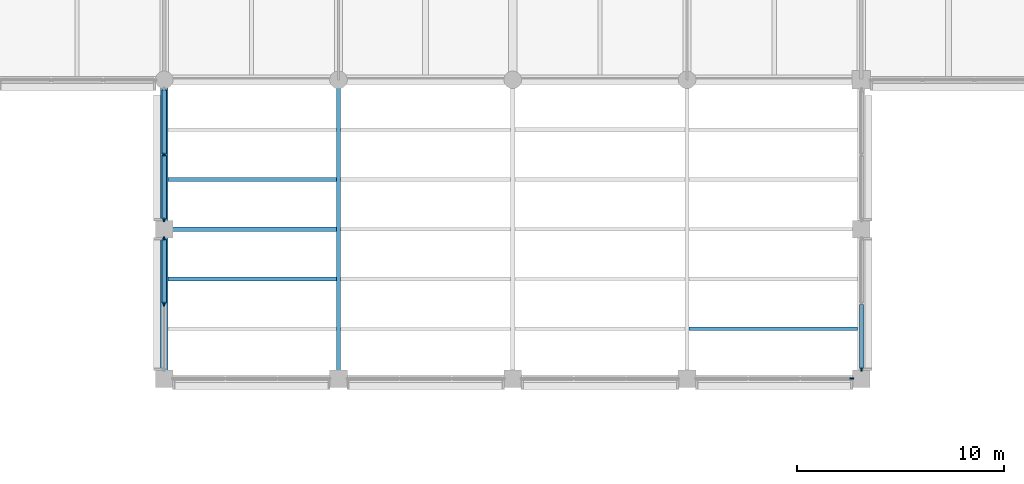
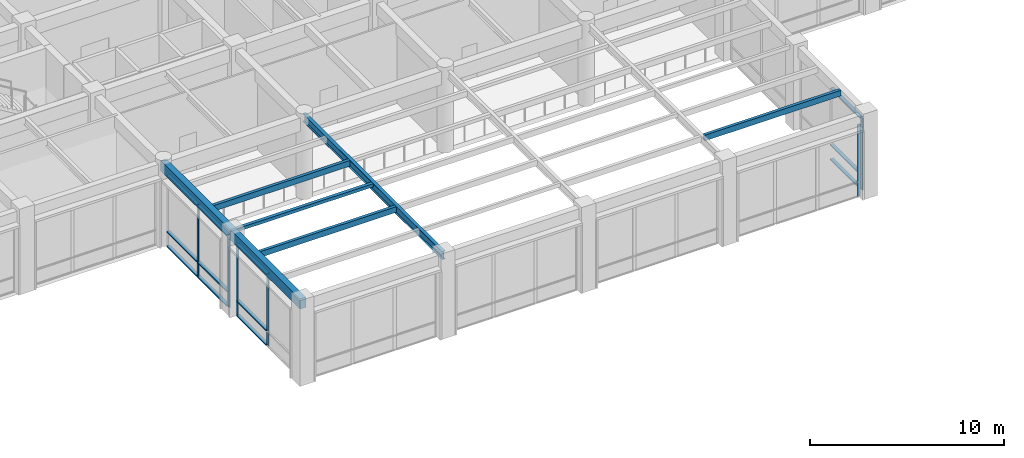
# One storey, part 9 of 58: 21 members, 4 beams, 4 elements without a shape of their own.
"""IFC4 building model written with IfcOpenShell, lengths in metres."""

from ifc_helpers import new_model, si_unit, direction, frame, origin, origin_2d, place, context, subcontext, project, spatial, rectangle, hollow_rectangle, i_section, extrude, material, layer, layer_set, material_profile, profile_set, type_object, element, aggregate, save


model = new_model("IFC4")

# Units and contexts
model_context = context("Model", 3, precision=1e-05, world=origin(), true_north=direction((0.0, 1.0)))
body_context = subcontext(model_context, "Body", "Model", "MODEL_VIEW")
ifc_project = project(units=[si_unit("LENGTHUNIT", "METRE"), si_unit("AREAUNIT", "SQUARE_METRE"), si_unit("VOLUMEUNIT", "CUBIC_METRE"), si_unit("PLANEANGLEUNIT", "RADIAN"), si_unit("MASSUNIT", "GRAM", prefix="KILO")], contexts=[model_context])

# Site, building, storey
site_placement = place(None, origin())
site = spatial("IfcSite", under=ifc_project, at=site_placement, CompositionType="ELEMENT")
building_placement = place(site_placement, origin())
building = spatial("IfcBuilding", under=site, at=building_placement, Name="Chengyuan Square Courthouse", CompositionType="ELEMENT")
storey_placement = place(building_placement, frame((0.0, 0.0, 16.199951171875)))
storey = spatial("IfcBuildingStorey", under=building, at=storey_placement, Name="L04", CompositionType="ELEMENT", Elevation=16.199951171875)

# Beams
ifc_material_1 = material(Name="Concrete C40", Category="concrete")
ifc_material_profile_1 = material_profile(ifc_material_1, rectangle(XDim=0.35009765625, YDim=0.64990234375, at=origin_2d()), Name="RC-BM-350x650")
ifc_profile_set_1 = profile_set([ifc_material_profile_1], Name="Concrete C40")
beam_type_1 = type_object("IfcBeamType", Name="BM-03", PredefinedType="SPANDREL", material=ifc_profile_set_1)
for number, where, z_axis, x_axis, name in (
    (1, (67.199951171875, 64.800048828125, 4.85498046875), (0.0, 1.0, 0.0), (-1.0, 0.0, 0.0), "Girder BM-L04-3015"),
    (2, (67.199951171875, 72.0, 4.85498046875), (0.0, 1.0, 0.0), (-1.0, 0.0, 0.0), "Girder BM-L04-3016"),
):
    element("IfcBeam", number, at=place(storey_placement, frame(where, z_axis=z_axis, x_axis=x_axis)), inside=storey, type_object=beam_type_1, Name=name, PredefinedType="SPANDREL", context=body_context, shape_type="SweptSolid", body=[
        extrude(rectangle(XDim=0.35009765625, YDim=0.64990234375, at=origin_2d()), origin(), (0.0, 0.0, 1.0), 7.199951171875),
    ])
ifc_material_2 = material(Name="Steel Q355B", Category="steel")
ifc_material_profile_2 = material_profile(ifc_material_2, hollow_rectangle(XDim=0.199951171875, YDim=0.199951171875, WallThickness=0.008056640625, at=origin_2d()), Name="SHS 200x200x8")
ifc_profile_set_2 = profile_set([ifc_material_profile_2], Name="Steel Q355B")
beam_type_2 = type_object("IfcBeamType", Name="BM-11", PredefinedType="BEAM", material=ifc_profile_set_2)
beam_1_placement = place(storey_placement, frame((67.375, 72.0, 5.080078125), z_axis=(1.0, 0.0, 0.0), x_axis=(0.0, 1.0, 0.0)))
element("IfcBeam", 3, at=beam_1_placement, inside=storey, type_object=beam_type_2, Name="Skylight Framing Beam SKB-L04-03", PredefinedType="BEAM", context=body_context, shape_type="SweptSolid", body=[
    extrude(hollow_rectangle(XDim=0.199951171875, YDim=0.199951171875, WallThickness=0.008056640625, at=origin_2d()), origin(), (0.0, 0.0, 1.0), 8.125),
])

# Curtain wall, member
ifc_material_3 = material(Name="Unitised Aluminium and Triple Low-E Glass", Category="aluminium")
ifc_layer_1 = layer(ifc_material_3, 0.179931640625)
ifc_layer_set_1 = layer_set([ifc_layer_1], Name="Unitised Aluminium and Triple Low-E Glass")
curtain_wall_type_1 = type_object("IfcCurtainWallType", Name="CW-10", PredefinedType="USERDEFINED", material=ifc_layer_set_1)
curtain_wall_1_placement = place(storey_placement, origin())
curtain_wall_1 = element("IfcCurtainWall", 4, at=curtain_wall_1_placement, inside=storey, type_object=curtain_wall_type_1, Name="Unitised Curtain Wall CW-L04-145", ObjectType="UNITISED CURTAIN WALL", PredefinedType="USERDEFINED")
ifc_material_4 = material(Name="Aluminium 6063-T6 Frame", Category="aluminium")
ifc_material_profile_3 = material_profile(ifc_material_4, rectangle(XDim=0.06494140625, YDim=0.179931640625, at=origin_2d()), Name="CW-MUL-65x180")
ifc_profile_set_3 = profile_set([ifc_material_profile_3], Name="Aluminium 6063-T6 Frame")
member_type_1 = type_object("IfcMemberType", Name="CWM-02", PredefinedType="MULLION", material=ifc_profile_set_3)
member_1_placement = place(storey_placement, frame((100.342529296875, 64.800048828125, 0.0), z_axis=(0.0, 0.0, 1.0), x_axis=(0.0, 1.0, 0.0)))
member_1 = element("IfcMember", 5, at=member_1_placement, type_object=member_type_1, Name="CW-10 mullion 4", PredefinedType="MULLION", context=body_context, shape_type="SweptSolid", body=[
    extrude(rectangle(XDim=0.06494140625, YDim=0.179931640625, at=origin_2d()), origin(), (0.0, 0.0, 1.0), 4.530029296875),
])
aggregate(curtain_wall_1, [member_1])

# Curtain wall, members
ifc_layer_2 = layer(ifc_material_3, 0.199951171875)
ifc_layer_set_2 = layer_set([ifc_layer_2], Name="Unitised Aluminium and Triple Low-E Glass")
curtain_wall_type_2 = type_object("IfcCurtainWallType", Name="CW-23", PredefinedType="USERDEFINED", material=ifc_layer_set_2)
curtain_wall_2_placement = place(storey_placement, origin())
curtain_wall_2 = element("IfcCurtainWall", 6, at=curtain_wall_2_placement, inside=storey, type_object=curtain_wall_type_2, Name="Unitised Curtain Wall CW-L04-141", ObjectType="UNITISED CURTAIN WALL", PredefinedType="USERDEFINED")
ifc_material_profile_4 = material_profile(ifc_material_4, rectangle(XDim=0.070068359375, YDim=0.199951171875, at=origin_2d()), Name="CW-MUL-70x200")
ifc_profile_set_4 = profile_set([ifc_material_profile_4], Name="Aluminium 6063-T6 Frame")
member_type_2 = type_object("IfcMemberType", Name="CWM-03", PredefinedType="MULLION", material=ifc_profile_set_4)
member_2_placement = place(storey_placement, frame((67.199951171875, 68.39990234375, 0.0), z_axis=(0.0, 0.0, 1.0), x_axis=(-1.0, 0.0, 0.0)))
member_2 = element("IfcMember", 7, at=member_2_placement, type_object=member_type_2, Name="CW-23 mullion 2", PredefinedType="MULLION", context=body_context, shape_type="SweptSolid", body=[
    extrude(rectangle(XDim=0.070068359375, YDim=0.199951171875, at=origin_2d()), origin(), (0.0, 0.0, 1.0), 4.530029296875),
])
member_3_placement = place(storey_placement, frame((67.199951171875, 71.5400390625, 0.0), z_axis=(0.0, 0.0, 1.0), x_axis=(-1.0, 0.0, 0.0)))
member_3 = element("IfcMember", 8, at=member_3_placement, type_object=member_type_2, Name="CW-23 mullion 3", PredefinedType="MULLION", context=body_context, shape_type="SweptSolid", body=[
    extrude(rectangle(XDim=0.070068359375, YDim=0.199951171875, at=origin_2d()), origin(), (0.0, 0.0, 1.0), 4.530029296875),
])

curtain_wall_3_placement = place(storey_placement, origin())
curtain_wall_3 = element("IfcCurtainWall", 9, at=curtain_wall_3_placement, inside=storey, type_object=curtain_wall_type_2, Name="Unitised Curtain Wall CW-L04-142", ObjectType="UNITISED CURTAIN WALL", PredefinedType="USERDEFINED")
member_4_placement = place(storey_placement, frame((67.199951171875, 72.4599609375, 0.0), z_axis=(0.0, 0.0, 1.0), x_axis=(-1.0, 0.0, 0.0)))
member_4 = element("IfcMember", 10, at=member_4_placement, type_object=member_type_2, Name="CW-23 mullion 1", PredefinedType="MULLION", context=body_context, shape_type="SweptSolid", body=[
    extrude(rectangle(XDim=0.070068359375, YDim=0.199951171875, at=origin_2d()), origin(), (0.0, 0.0, 1.0), 4.530029296875),
])
member_5_placement = place(storey_placement, frame((67.199951171875, 75.60009765625, 0.0), z_axis=(0.0, 0.0, 1.0), x_axis=(-1.0, 0.0, 0.0)))
member_5 = element("IfcMember", 11, at=member_5_placement, type_object=member_type_2, Name="CW-23 mullion 2", PredefinedType="MULLION", context=body_context, shape_type="SweptSolid", body=[
    extrude(rectangle(XDim=0.070068359375, YDim=0.199951171875, at=origin_2d()), origin(), (0.0, 0.0, 1.0), 4.530029296875),
])

# Curtain wall, member
curtain_wall_4_placement = place(storey_placement, origin())
curtain_wall_4 = element("IfcCurtainWall", 12, at=curtain_wall_4_placement, inside=storey, type_object=curtain_wall_type_2, Name="Unitised Curtain Wall CW-L04-146", ObjectType="UNITISED CURTAIN WALL", PredefinedType="USERDEFINED")
member_6_placement = place(storey_placement, frame((100.800048828125, 65.260009765625, 0.0), z_axis=(0.0, 0.0, 1.0), x_axis=(-1.0, 0.0, 0.0)))
member_6 = element("IfcMember", 13, at=member_6_placement, type_object=member_type_2, Name="CW-23 mullion 1", PredefinedType="MULLION", context=body_context, shape_type="SweptSolid", body=[
    extrude(rectangle(XDim=0.070068359375, YDim=0.199951171875, at=origin_2d()), origin(), (0.0, 0.0, 1.0), 4.530029296875),
])

# Member
ifc_material_profile_5 = material_profile(ifc_material_4, rectangle(XDim=0.199951171875, YDim=0.070068359375, at=origin_2d()), Name="CW-TRN-70x160")
ifc_profile_set_5 = profile_set([ifc_material_profile_5], Name="Aluminium 6063-T6 Frame")
member_type_3 = type_object("IfcMemberType", Name="CWT-03", PredefinedType="USERDEFINED", material=ifc_profile_set_5)
member_7_placement = place(storey_placement, frame((67.199951171875, 68.43505859375, 0.03515625), z_axis=(0.0, 1.0, 0.0), x_axis=(-1.0, 0.0, 0.0)))
member_7 = element("IfcMember", 14, at=member_7_placement, type_object=member_type_3, Name="CW-23 transom 2.1", ObjectType="TRANSOM", PredefinedType="USERDEFINED", context=body_context, shape_type="SweptSolid", body=[
    extrude(rectangle(XDim=0.199951171875, YDim=0.070068359375, at=origin_2d()), origin(), (0.0, 0.0, 1.0), 3.06982421875),
])

member_8_placement = place(storey_placement, frame((67.199951171875, 68.43505859375, 0.949951171875), z_axis=(0.0, 1.0, 0.0), x_axis=(-1.0, 0.0, 0.0)))
member_8 = element("IfcMember", 15, at=member_8_placement, type_object=member_type_3, Name="CW-23 transom 2.2", ObjectType="TRANSOM", PredefinedType="USERDEFINED", context=body_context, shape_type="SweptSolid", body=[
    extrude(rectangle(XDim=0.199951171875, YDim=0.070068359375, at=origin_2d()), origin(), (0.0, 0.0, 1.0), 3.06982421875),
])

member_9_placement = place(storey_placement, frame((67.199951171875, 68.43505859375, 4.4951171875), z_axis=(0.0, 1.0, 0.0), x_axis=(-1.0, 0.0, 0.0)))
member_9 = element("IfcMember", 16, at=member_9_placement, type_object=member_type_3, Name="CW-23 transom 2.3", ObjectType="TRANSOM", PredefinedType="USERDEFINED", context=body_context, shape_type="SweptSolid", body=[
    extrude(rectangle(XDim=0.199951171875, YDim=0.070068359375, at=origin_2d()), origin(), (0.0, 0.0, 1.0), 3.06982421875),
])

aggregate(curtain_wall_2, [member_2, member_3, member_7, member_8, member_9])

member_10_placement = place(storey_placement, frame((67.199951171875, 72.4951171875, 0.03515625), z_axis=(0.0, 1.0, 0.0), x_axis=(-1.0, 0.0, 0.0)))
member_10 = element("IfcMember", 17, at=member_10_placement, type_object=member_type_3, Name="CW-23 transom 1.1", ObjectType="TRANSOM", PredefinedType="USERDEFINED", context=body_context, shape_type="SweptSolid", body=[
    extrude(rectangle(XDim=0.199951171875, YDim=0.070068359375, at=origin_2d()), origin(), (0.0, 0.0, 1.0), 3.06982421875),
])

member_11_placement = place(storey_placement, frame((67.199951171875, 72.4951171875, 0.949951171875), z_axis=(0.0, 1.0, 0.0), x_axis=(-1.0, 0.0, 0.0)))
member_11 = element("IfcMember", 18, at=member_11_placement, type_object=member_type_3, Name="CW-23 transom 1.2", ObjectType="TRANSOM", PredefinedType="USERDEFINED", context=body_context, shape_type="SweptSolid", body=[
    extrude(rectangle(XDim=0.199951171875, YDim=0.070068359375, at=origin_2d()), origin(), (0.0, 0.0, 1.0), 3.06982421875),
])

member_12_placement = place(storey_placement, frame((67.199951171875, 72.4951171875, 4.4951171875), z_axis=(0.0, 1.0, 0.0), x_axis=(-1.0, 0.0, 0.0)))
member_12 = element("IfcMember", 19, at=member_12_placement, type_object=member_type_3, Name="CW-23 transom 1.3", ObjectType="TRANSOM", PredefinedType="USERDEFINED", context=body_context, shape_type="SweptSolid", body=[
    extrude(rectangle(XDim=0.199951171875, YDim=0.070068359375, at=origin_2d()), origin(), (0.0, 0.0, 1.0), 3.06982421875),
])

member_13_placement = place(storey_placement, frame((67.199951171875, 75.635009765625, 0.03515625), z_axis=(0.0, 1.0, 0.0), x_axis=(-1.0, 0.0, 0.0)))
member_13 = element("IfcMember", 20, at=member_13_placement, type_object=member_type_3, Name="CW-23 transom 2.1", ObjectType="TRANSOM", PredefinedType="USERDEFINED", context=body_context, shape_type="SweptSolid", body=[
    extrude(rectangle(XDim=0.199951171875, YDim=0.070068359375, at=origin_2d()), origin(), (0.0, 0.0, 1.0), 3.070068359375),
])

member_14_placement = place(storey_placement, frame((67.199951171875, 75.635009765625, 0.949951171875), z_axis=(0.0, 1.0, 0.0), x_axis=(-1.0, 0.0, 0.0)))
member_14 = element("IfcMember", 21, at=member_14_placement, type_object=member_type_3, Name="CW-23 transom 2.2", ObjectType="TRANSOM", PredefinedType="USERDEFINED", context=body_context, shape_type="SweptSolid", body=[
    extrude(rectangle(XDim=0.199951171875, YDim=0.070068359375, at=origin_2d()), origin(), (0.0, 0.0, 1.0), 3.070068359375),
])

member_15_placement = place(storey_placement, frame((67.199951171875, 75.635009765625, 4.4951171875), z_axis=(0.0, 1.0, 0.0), x_axis=(-1.0, 0.0, 0.0)))
member_15 = element("IfcMember", 22, at=member_15_placement, type_object=member_type_3, Name="CW-23 transom 2.3", ObjectType="TRANSOM", PredefinedType="USERDEFINED", context=body_context, shape_type="SweptSolid", body=[
    extrude(rectangle(XDim=0.199951171875, YDim=0.070068359375, at=origin_2d()), origin(), (0.0, 0.0, 1.0), 3.070068359375),
])

aggregate(curtain_wall_3, [member_4, member_5, member_10, member_11, member_12, member_13, member_14, member_15])

member_16_placement = place(storey_placement, frame((100.800048828125, 65.294921875, 0.03515625), z_axis=(0.0, 1.0, 0.0), x_axis=(-1.0, 0.0, 0.0)))
member_16 = element("IfcMember", 23, at=member_16_placement, type_object=member_type_3, Name="CW-23 transom 1.1", ObjectType="TRANSOM", PredefinedType="USERDEFINED", context=body_context, shape_type="SweptSolid", body=[
    extrude(rectangle(XDim=0.199951171875, YDim=0.070068359375, at=origin_2d()), origin(), (0.0, 0.0, 1.0), 3.070068359375),
])

member_17_placement = place(storey_placement, frame((100.800048828125, 65.294921875, 0.949951171875), z_axis=(0.0, 1.0, 0.0), x_axis=(-1.0, 0.0, 0.0)))
member_17 = element("IfcMember", 24, at=member_17_placement, type_object=member_type_3, Name="CW-23 transom 1.2", ObjectType="TRANSOM", PredefinedType="USERDEFINED", context=body_context, shape_type="SweptSolid", body=[
    extrude(rectangle(XDim=0.199951171875, YDim=0.070068359375, at=origin_2d()), origin(), (0.0, 0.0, 1.0), 3.070068359375),
])

member_18_placement = place(storey_placement, frame((100.800048828125, 65.294921875, 4.4951171875), z_axis=(0.0, 1.0, 0.0), x_axis=(-1.0, 0.0, 0.0)))
member_18 = element("IfcMember", 25, at=member_18_placement, type_object=member_type_3, Name="CW-23 transom 1.3", ObjectType="TRANSOM", PredefinedType="USERDEFINED", context=body_context, shape_type="SweptSolid", body=[
    extrude(rectangle(XDim=0.199951171875, YDim=0.070068359375, at=origin_2d()), origin(), (0.0, 0.0, 1.0), 3.070068359375),
])

aggregate(curtain_wall_4, [member_6, member_16, member_17, member_18])

# Members
ifc_material_5 = material(Name="Glulam TCt28", Category="wood")
ifc_material_profile_6 = material_profile(ifc_material_5, rectangle(XDim=0.179931640625, YDim=0.360107421875, at=origin_2d()), Name="GL-PRL-180x360")
ifc_profile_set_6 = profile_set([ifc_material_profile_6], Name="Glulam TCt28")
member_type_4 = type_object("IfcMemberType", Name="PRL-01", PredefinedType="PURLIN", material=ifc_profile_set_6)
for number, where, z_axis, x_axis, name in (
    (26, (67.375, 69.60009765625, 5.0), (1.0, 0.0, 0.0), (0.0, 1.0, 0.0), "Glulam Skylight Acoustic Purlin PRL-SKY-02"),
    (27, (67.375, 74.39990234375, 5.0), (1.0, 0.0, 0.0), (0.0, 1.0, 0.0), "Glulam Skylight Acoustic Purlin PRL-SKY-04"),
    (28, (92.5, 67.199951171875, 5.0), (1.0, 0.0, 0.0), (0.0, 1.0, 0.0), "Glulam Skylight Acoustic Purlin PRL-SKY-16"),
):
    element("IfcMember", number, at=place(storey_placement, frame(where, z_axis=z_axis, x_axis=x_axis)), inside=storey, type_object=member_type_4, Name=name, PredefinedType="PURLIN", context=body_context, shape_type="SweptSolid", body=[
        extrude(rectangle(XDim=0.179931640625, YDim=0.360107421875, at=origin_2d()), origin(), (0.0, 0.0, 1.0), 8.125),
    ])

# Beam
ifc_material_profile_7 = material_profile(ifc_material_2, i_section(OverallWidth=0.199951171875, OverallDepth=0.5, WebThickness=0.010009765625, FlangeThickness=0.01611328125, at=origin_2d()), Name="HN 500x200x10x16")
ifc_profile_set_7 = profile_set([ifc_material_profile_7], Name="Steel Q355B")
beam_type_3 = type_object("IfcBeamType", Name="STG-01", PredefinedType="USERDEFINED", material=ifc_profile_set_7)
beam_2_placement = place(storey_placement, frame((75.60009765625, 64.800048828125, 4.929931640625), z_axis=(0.0, 1.0, 0.0), x_axis=(-1.0, 0.0, 0.0)))
element("IfcBeam", 29, at=beam_2_placement, inside=storey, type_object=beam_type_3, Name="Girder BM-L04-3022", ObjectType="GIRDER", PredefinedType="USERDEFINED", context=body_context, shape_type="SweptSolid", body=[
    extrude(i_section(OverallWidth=0.199951171875, OverallDepth=0.5, WebThickness=0.010009765625, FlangeThickness=0.01611328125, at=origin_2d()), origin(), (0.0, 0.0, 1.0), 14.39990234375),
])

save(model, "model.ifc")
